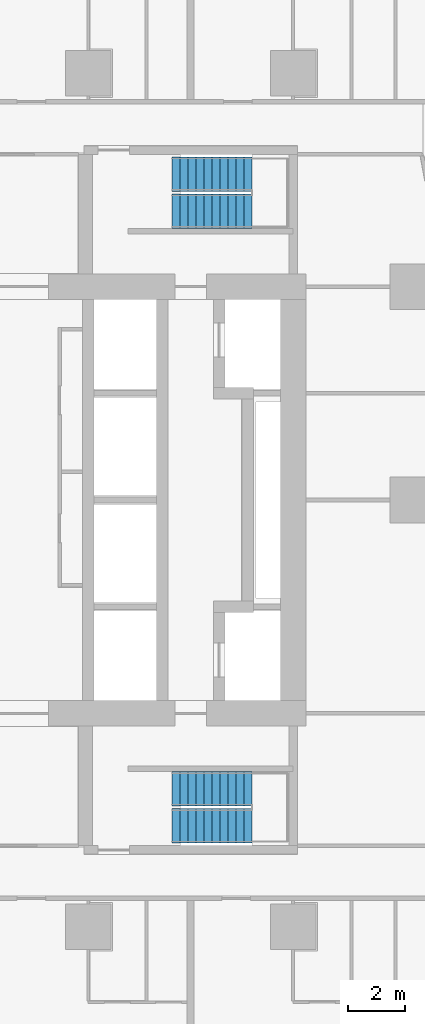
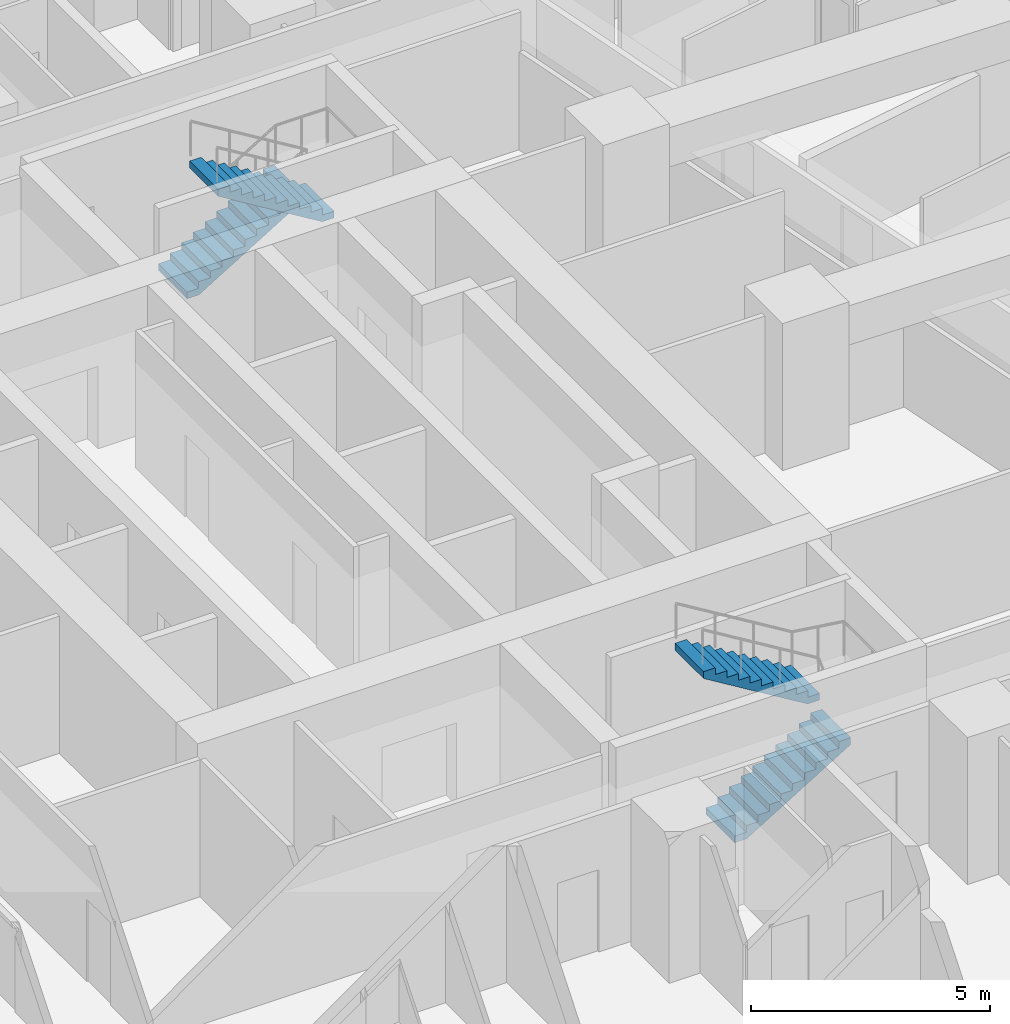
# One storey, part 13 of 16: 4 stair flights, 2 elements without a shape of their own.
"""IFC4 building model written with IfcOpenShell, lengths in metres."""

import ifcopenshell
import ifcopenshell.guid

model = None  # the IFC model being written
_history = None  # IfcOwnerHistory: only IFC2X3 demands one
_inside = {}  # id of a spatial element -> (the spatial element, [elements in it])
_under = {}  # id of a project, library or spatial element -> (it, [spatial elements below it])
_declared = {}  # id of a project -> (the project, [libraries it declares])
_typed = {}  # id of a type object -> (the type object, [elements of that type])
_made_of = {}  # id of a material, layer set ... -> (it, [elements and type objects made of it])


def new_model(schema):
    """Start an empty IFC model of exactly this schema.

    Asked for "IFC4X3", IfcOpenShell would pick the latest addendum, in which some entities
    have other attributes; the version numbers below select the first issue.
    IFC2X3 requires an IfcOwnerHistory on every rooted entity: one is made here for all.
    """
    global model, _history
    if schema == "IFC4X3":
        model = ifcopenshell.file(schema_version=(4, 3, 0, 0))
    else:
        model = ifcopenshell.file(schema=schema)
    _inside.clear()
    _under.clear()
    _declared.clear()
    _typed.clear()
    _made_of.clear()
    _history = None
    if model.schema == "IFC2X3":
        org = make("IfcOrganization", Name="unknown")
        user = make(
            "IfcPersonAndOrganization",
            ThePerson=make("IfcPerson", FamilyName="unknown"),
            TheOrganization=org,
        )
        app = make(
            "IfcApplication",
            ApplicationDeveloper=org,
            Version="unknown",
            ApplicationFullName="unknown",
            ApplicationIdentifier="unknown",
        )
        _history = make(
            "IfcOwnerHistory",
            OwningUser=user,
            OwningApplication=app,
            ChangeAction="ADDED",
            CreationDate=0,
        )
    return model


def make(cls, **values):
    """One entity of the class cls with the attributes given. An attribute that is None is left unset."""
    return model.create_entity(
        cls, **{name: value for name, value in values.items() if value is not None}
    )


def rooted(cls, **values):
    """An entity with a GlobalId (a new one), such as an element, a storey or a relation."""
    return make(cls, GlobalId=ifcopenshell.guid.new(), OwnerHistory=_history, **values)


def si_unit(unit_type, name, prefix=None):
    """IfcSIUnit, for example si_unit("LENGTHUNIT", "METRE", prefix="MILLI")."""
    return make("IfcSIUnit", UnitType=unit_type, Prefix=prefix, Name=name)


def assignment(units):
    """IfcUnitAssignment: the units of a project."""
    return None if units is None else make("IfcUnitAssignment", Units=units)


def point(xyz):
    """IfcCartesianPoint."""
    return None if xyz is None else make("IfcCartesianPoint", Coordinates=xyz)


def direction(xyz):
    """IfcDirection."""
    return None if xyz is None else make("IfcDirection", DirectionRatios=xyz)


def frame(location, z_axis=None, x_axis=None):
    """IfcAxis2Placement3D, a coordinate frame: its origin and axes. An axis left out is left unset."""
    return make(
        "IfcAxis2Placement3D",
        Location=point(location),
        Axis=direction(z_axis),
        RefDirection=direction(x_axis),
    )


def origin():
    """The frame at (0, 0, 0) with its axes left unset."""
    return frame((0.0, 0.0, 0.0))


def place(relative_to, where):
    """IfcLocalPlacement: puts the frame where relative to a parent placement (None: the world)."""
    return make(
        "IfcLocalPlacement", PlacementRelTo=relative_to, RelativePlacement=where
    )


def context(
    kind, dimensions, precision=None, world=None, true_north=None, identifier=None
):
    """IfcGeometricRepresentationContext, for example the 3D "Model" context."""
    return make(
        "IfcGeometricRepresentationContext",
        ContextIdentifier=identifier,
        ContextType=kind,
        CoordinateSpaceDimension=dimensions,
        Precision=precision,
        WorldCoordinateSystem=world,
        TrueNorth=true_north,
    )


def subcontext(parent, identifier, kind, view, scale=None):
    """IfcGeometricRepresentationSubContext, for example "Body" below "Model"."""
    return make(
        "IfcGeometricRepresentationSubContext",
        ContextIdentifier=identifier,
        ContextType=kind,
        ParentContext=parent,
        TargetScale=scale,
        TargetView=view,
    )


def project(units=None, contexts=None):
    """IfcProject with its units and contexts."""
    return rooted(
        "IfcProject",
        Name="project",
        RepresentationContexts=contexts,
        UnitsInContext=assignment(units),
    )


def spatial(cls, under=None, at=None, **own):
    """A site, building, storey or space (cls), placed at a placement, below another one or the project."""
    s = rooted(cls, ObjectPlacement=at, **own)
    if under is not None:
        _under.setdefault(under.id(), (under, []))[1].append(s)
    return s


def point_list(points):
    """IfcCartesianPointList2D or 3D."""
    cls = (
        "IfcCartesianPointList2D" if len(points[0]) == 2 else "IfcCartesianPointList3D"
    )
    return make(cls, CoordList=points)


def triangles(points, corners, closed=None, point_numbers=None):
    """IfcTriangulatedFaceSet: each triangle names its three corners, points numbered from 1."""
    return make(
        "IfcTriangulatedFaceSet",
        Coordinates=point_list(points),
        Closed=closed,
        CoordIndex=corners,
        PnIndex=point_numbers,
    )


def shape(context_of_items, identifier, shape_type, items):
    """IfcShapeRepresentation: the items that make up one representation, for example the "Body"."""
    return make(
        "IfcShapeRepresentation",
        ContextOfItems=context_of_items,
        RepresentationIdentifier=identifier,
        RepresentationType=shape_type,
        Items=items,
    )


def material(Name=None, Category=None):
    """IfcMaterial."""
    return make("IfcMaterial", Name=Name, Category=Category)


def made_of(thing, what):
    """Note that an element or type object is made of a material, layer set ...; save() writes the relation."""
    if what is not None:
        _made_of.setdefault(what.id(), (what, []))[1].append(thing)
    return thing


def type_object(cls, material=None, **own):
    """A type object (cls), such as IfcWallType, which elements share."""
    return made_of(rooted(cls, **own), material)


def element(
    cls,
    number,
    at=None,
    inside=None,
    cuts=None,
    type_object=None,
    material=None,
    context=None,
    identifier="Body",
    shape_type=None,
    held_by="IfcProductDefinitionShape",
    body=None,
    shapes=None,
    **own,
):
    """One element of the class cls, such as IfcWall. Its Tag is "e" and its number.

    at: its placement. inside: the storey or other place that contains it. cuts: it is an
    opening in that element (IfcRelVoidsElement). A single representation is given by context,
    identifier, shape_type and body (its items); several are given by shapes. held_by: the class
    of the entity that holds the representations. save() writes the other relations.
    """
    e = rooted(cls, Tag="e%d" % number, ObjectPlacement=at, **own)
    if body is not None:
        shapes = [shape(context, identifier, shape_type, body)]
    if shapes is not None:
        e.Representation = make(held_by, Representations=shapes)
    if inside is not None:
        _inside.setdefault(inside.id(), (inside, []))[1].append(e)
    if cuts is not None:
        rooted(
            "IfcRelVoidsElement", RelatingBuildingElement=cuts, RelatedOpeningElement=e
        )
    if type_object is not None:
        _typed.setdefault(type_object.id(), (type_object, []))[1].append(e)
    return made_of(e, material)


def aggregate(whole, parts):
    """IfcRelAggregates: a whole, such as a stair, and the parts it consists of."""
    return rooted("IfcRelAggregates", RelatingObject=whole, RelatedObjects=parts)


def save(model, path):
    """Write the relations noted so far, then the file.

    IfcRelAggregates (storeys below a building ...), IfcRelContainedInSpatialStructure (elements
    in a storey), IfcRelDefinesByType, IfcRelAssociatesMaterial and IfcRelDeclares: one each for
    every whole, place, type object, material and project.
    """
    for whole, parts in _under.values():
        aggregate(whole, parts)
    for where, things in _inside.values():
        rooted(
            "IfcRelContainedInSpatialStructure",
            RelatedElements=things,
            RelatingStructure=where,
        )
    for kind, things in _typed.values():
        rooted("IfcRelDefinesByType", RelatedObjects=things, RelatingType=kind)
    for what, things in _made_of.values():
        rooted("IfcRelAssociatesMaterial", RelatedObjects=things, RelatingMaterial=what)
    for by, libraries in _declared.values():
        rooted("IfcRelDeclares", RelatingContext=by, RelatedDefinitions=libraries)
    model.write(path)


model = new_model("IFC4")

# Units and contexts
model_context = context("Model", 3, precision=1e-05, world=origin(), true_north=direction((0.0, 1.0)))
body_context = subcontext(model_context, "Body", "Model", "MODEL_VIEW")
ifc_project = project(units=[si_unit("LENGTHUNIT", "METRE"), si_unit("AREAUNIT", "SQUARE_METRE"), si_unit("VOLUMEUNIT", "CUBIC_METRE"), si_unit("PLANEANGLEUNIT", "RADIAN"), si_unit("MASSUNIT", "GRAM", prefix="KILO")], contexts=[model_context])

# Site, building, storey
site_placement = place(None, origin())
site = spatial("IfcSite", under=ifc_project, at=site_placement, CompositionType="ELEMENT")
building_placement = place(site_placement, origin())
building = spatial("IfcBuilding", under=site, at=building_placement, Name="Sheger Commons Tower", CompositionType="ELEMENT")
storey_placement = place(building_placement, frame((0.0, 0.0, 89.14990234375)))
storey = spatial("IfcBuildingStorey", under=building, at=storey_placement, Name="L22", CompositionType="ELEMENT", Elevation=89.14990234375)

# Stair, stair flights
ifc_material_1 = material(Name="Concrete C35/45", Category="concrete")
stair_type = type_object("IfcStairType", Name="HALF-TURN STAIR 1200 RISE 3750", PredefinedType="HALF_TURN_STAIR", material=ifc_material_1)
stair_1_placement = place(storey_placement, origin())
stair_1 = element("IfcStair", 1, at=stair_1_placement, inside=storey, type_object=stair_type, Name="Stair S1 L22", PredefinedType="HALF_TURN_STAIR")
ifc_material_2 = material(Name="Concrete C35/45", Category="concrete")
stair_flight_type = type_object("IfcStairFlightType", Name="STAIR FLIGHT 1200 11 RISERS OF 170", PredefinedType="STRAIGHT", material=ifc_material_2)
stair_flight_1_placement = place(storey_placement, frame((24.550048828125, 11.050048828125, 0.0), z_axis=(0.0, 0.0, 1.0), x_axis=(1.0, 0.0, 0.0)))
stair_flight_1 = element("IfcStairFlight", 2, at=stair_flight_1_placement, type_object=stair_flight_type, Name="S1 flight 1", NumberOfRisers=11, NumberOfTreads=10, PredefinedType="STRAIGHT", RiserHeight=0.170454545, TreadLength=0.28, context=body_context, shape_type="Tessellation", body=[
    triangles([(0.0, 0.5999755859375, 0.0), (0.0, 0.5999755859375, 0.17041015625), (0.280029296875, 0.5999755859375, 0.17041015625), (0.280029296875, 0.5999755859375, 0.3408203125), (0.56005859375, 0.5999755859375, 0.3408203125), (0.56005859375, 0.5999755859375, 0.511474609375), (0.840087890625, 0.5999755859375, 0.511474609375), (0.840087890625, 0.5999755859375, 0.681884765625), (1.1201171875, 0.5999755859375, 0.681884765625), (1.1201171875, 0.5999755859375, 0.852294921875), (1.39990234375, 0.5999755859375, 0.852294921875), (1.39990234375, 0.5999755859375, 1.022705078125), (1.679931640625, 0.5999755859375, 1.022705078125), (1.679931640625, 0.5999755859375, 1.193115234375), (1.9599609375, 0.5999755859375, 1.193115234375), (1.9599609375, 0.5999755859375, 1.363525390625), (2.239990234375, 0.5999755859375, 1.363525390625), (2.239990234375, 0.5999755859375, 1.5341796875), (2.52001953125, 0.5999755859375, 1.5341796875), (2.52001953125, 0.5999755859375, 1.70458984375), (2.800048828125, 0.5999755859375, 1.70458984375), (2.800048828125, 0.5999755859375, 1.529052734375), (0.288330078125, 0.5999755859375, 0.0), (0.0, -0.5999755859375, 0.0), (0.0, -0.5999755859375, 0.17041015625), (0.280029296875, -0.5999755859375, 0.17041015625), (0.280029296875, -0.5999755859375, 0.3408203125), (0.56005859375, -0.5999755859375, 0.3408203125), (0.56005859375, -0.5999755859375, 0.511474609375), (0.840087890625, -0.5999755859375, 0.511474609375), (0.840087890625, -0.5999755859375, 0.681884765625), (1.1201171875, -0.5999755859375, 0.681884765625), (1.1201171875, -0.5999755859375, 0.852294921875), (1.39990234375, -0.5999755859375, 0.852294921875), (1.39990234375, -0.5999755859375, 1.022705078125), (1.679931640625, -0.5999755859375, 1.022705078125), (1.679931640625, -0.5999755859375, 1.193115234375), (1.9599609375, -0.5999755859375, 1.193115234375), (1.9599609375, -0.5999755859375, 1.363525390625), (2.239990234375, -0.5999755859375, 1.363525390625), (2.239990234375, -0.5999755859375, 1.5341796875), (2.52001953125, -0.5999755859375, 1.5341796875), (2.52001953125, -0.5999755859375, 1.70458984375), (2.800048828125, -0.5999755859375, 1.70458984375), (2.800048828125, -0.5999755859375, 1.529052734375), (0.288330078125, -0.5999755859375, 0.0), (0.0, 0.0, 0.085205078125), (0.1400146484375, 0.0, 0.17041015625), (0.280029296875, 0.0, 0.255615234375), (0.4200439453125, 0.0, 0.3408203125), (0.56005859375, 0.0, 0.4261474609375), (0.7000732421875, 0.0, 0.511474609375), (0.840087890625, 0.0, 0.5966796875), (0.9801025390625, 0.0, 0.681884765625), (1.1201171875, 0.0, 0.76708984375), (1.260009765625, 0.0, 0.852294921875), (1.39990234375, 0.0, 0.9375), (1.5399169921875, 0.0, 1.022705078125), (1.679931640625, 0.0, 1.10791015625), (1.8199462890625, 0.0, 1.193115234375), (1.9599609375, 0.0, 1.2783203125), (2.0999755859375, 0.0, 1.363525390625), (2.239990234375, 0.0, 1.4488525390625), (2.3800048828125, 0.0, 1.5341796875), (2.52001953125, 0.0, 1.619384765625), (2.6600341796875, 0.0, 1.70458984375), (2.800048828125, 0.0, 1.6168212890625), (1.544189453125, 0.0, 0.7645263671875), (0.1441650390625, 0.0, 0.0)], [[1, 22, 23], [24, 46, 45], [22, 20, 21], [45, 44, 43], [22, 19, 20], [45, 43, 42], [22, 18, 19], [45, 42, 41], [22, 17, 18], [45, 41, 40], [17, 15, 16], [40, 39, 38], [22, 15, 17], [45, 40, 38], [15, 13, 14], [38, 37, 36], [22, 13, 15], [45, 38, 36], [13, 11, 12], [36, 35, 34], [22, 11, 13], [45, 36, 34], [11, 9, 10], [34, 33, 32], [22, 9, 11], [45, 34, 32], [9, 7, 8], [32, 31, 30], [22, 7, 9], [45, 32, 30], [7, 5, 6], [30, 29, 28], [22, 5, 7], [45, 30, 28], [5, 3, 4], [28, 27, 26], [22, 3, 5], [45, 28, 26], [1, 3, 22], [24, 45, 26], [3, 1, 2], [26, 25, 24], [1, 47, 2], [2, 47, 25], [25, 47, 24], [24, 47, 1], [2, 48, 3], [3, 48, 26], [26, 48, 25], [25, 48, 2], [3, 49, 4], [4, 49, 27], [27, 49, 26], [26, 49, 3], [4, 50, 5], [5, 50, 28], [28, 50, 27], [27, 50, 4], [5, 51, 6], [6, 51, 29], [29, 51, 28], [28, 51, 5], [6, 52, 7], [7, 52, 30], [30, 52, 29], [29, 52, 6], [7, 53, 8], [8, 53, 31], [31, 53, 30], [30, 53, 7], [8, 54, 9], [9, 54, 32], [32, 54, 31], [31, 54, 8], [9, 55, 10], [10, 55, 33], [33, 55, 32], [32, 55, 9], [10, 56, 11], [11, 56, 34], [34, 56, 33], [33, 56, 10], [11, 57, 12], [12, 57, 35], [35, 57, 34], [34, 57, 11], [12, 58, 13], [13, 58, 36], [36, 58, 35], [35, 58, 12], [13, 59, 14], [14, 59, 37], [37, 59, 36], [36, 59, 13], [14, 60, 15], [15, 60, 38], [38, 60, 37], [37, 60, 14], [15, 61, 16], [16, 61, 39], [39, 61, 38], [38, 61, 15], [16, 62, 17], [17, 62, 40], [40, 62, 39], [39, 62, 16], [17, 63, 18], [18, 63, 41], [41, 63, 40], [40, 63, 17], [18, 64, 19], [19, 64, 42], [42, 64, 41], [41, 64, 18], [19, 65, 20], [20, 65, 43], [43, 65, 42], [42, 65, 19], [20, 66, 21], [21, 66, 44], [44, 66, 43], [43, 66, 20], [21, 67, 22], [22, 67, 45], [45, 67, 44], [44, 67, 21], [22, 68, 23], [23, 68, 46], [46, 68, 45], [45, 68, 22], [23, 69, 1], [1, 69, 24], [24, 69, 46], [46, 69, 23]], closed=True),
])
stair_flight_2_placement = place(storey_placement, frame((27.35009765625, 12.35009765625, 1.875), z_axis=(0.0, 0.0, 1.0), x_axis=(-1.0, 0.0, 0.0)))
stair_flight_2 = element("IfcStairFlight", 3, at=stair_flight_2_placement, type_object=stair_flight_type, Name="S1 flight 2", NumberOfRisers=11, NumberOfTreads=10, PredefinedType="STRAIGHT", RiserHeight=0.170454545, TreadLength=0.28, context=body_context, shape_type="Tessellation", body=[
    triangles([(0.0, 0.5999755859375, 0.0), (0.0, 0.5999755859375, 0.17041015625), (0.280029296875, 0.5999755859375, 0.17041015625), (0.280029296875, 0.5999755859375, 0.3408203125), (0.56005859375, 0.5999755859375, 0.3408203125), (0.56005859375, 0.5999755859375, 0.511474609375), (0.840087890625, 0.5999755859375, 0.511474609375), (0.840087890625, 0.5999755859375, 0.681884765625), (1.1201171875, 0.5999755859375, 0.681884765625), (1.1201171875, 0.5999755859375, 0.852294921875), (1.39990234375, 0.5999755859375, 0.852294921875), (1.39990234375, 0.5999755859375, 1.022705078125), (1.679931640625, 0.5999755859375, 1.022705078125), (1.679931640625, 0.5999755859375, 1.193115234375), (1.9599609375, 0.5999755859375, 1.193115234375), (1.9599609375, 0.5999755859375, 1.363525390625), (2.239990234375, 0.5999755859375, 1.363525390625), (2.239990234375, 0.5999755859375, 1.5341796875), (2.52001953125, 0.5999755859375, 1.5341796875), (2.52001953125, 0.5999755859375, 1.70458984375), (2.800048828125, 0.5999755859375, 1.70458984375), (2.800048828125, 0.5999755859375, 1.529052734375), (0.288330078125, 0.5999755859375, 0.0), (0.0, -0.5999755859375, 0.0), (0.0, -0.5999755859375, 0.17041015625), (0.280029296875, -0.5999755859375, 0.17041015625), (0.280029296875, -0.5999755859375, 0.3408203125), (0.56005859375, -0.5999755859375, 0.3408203125), (0.56005859375, -0.5999755859375, 0.511474609375), (0.840087890625, -0.5999755859375, 0.511474609375), (0.840087890625, -0.5999755859375, 0.681884765625), (1.1201171875, -0.5999755859375, 0.681884765625), (1.1201171875, -0.5999755859375, 0.852294921875), (1.39990234375, -0.5999755859375, 0.852294921875), (1.39990234375, -0.5999755859375, 1.022705078125), (1.679931640625, -0.5999755859375, 1.022705078125), (1.679931640625, -0.5999755859375, 1.193115234375), (1.9599609375, -0.5999755859375, 1.193115234375), (1.9599609375, -0.5999755859375, 1.363525390625), (2.239990234375, -0.5999755859375, 1.363525390625), (2.239990234375, -0.5999755859375, 1.5341796875), (2.52001953125, -0.5999755859375, 1.5341796875), (2.52001953125, -0.5999755859375, 1.70458984375), (2.800048828125, -0.5999755859375, 1.70458984375), (2.800048828125, -0.5999755859375, 1.529052734375), (0.288330078125, -0.5999755859375, 0.0), (0.0, 0.0, 0.085205078125), (0.1400146484375, 0.0, 0.17041015625), (0.280029296875, 0.0, 0.255615234375), (0.4200439453125, 0.0, 0.3408203125), (0.56005859375, 0.0, 0.4261474609375), (0.7000732421875, 0.0, 0.511474609375), (0.840087890625, 0.0, 0.5966796875), (0.9801025390625, 0.0, 0.681884765625), (1.1201171875, 0.0, 0.76708984375), (1.260009765625, 0.0, 0.852294921875), (1.39990234375, 0.0, 0.9375), (1.5399169921875, 0.0, 1.022705078125), (1.679931640625, 0.0, 1.10791015625), (1.8199462890625, 0.0, 1.193115234375), (1.9599609375, 0.0, 1.2783203125), (2.0999755859375, 0.0, 1.363525390625), (2.239990234375, 0.0, 1.4488525390625), (2.3800048828125, 0.0, 1.5341796875), (2.52001953125, 0.0, 1.619384765625), (2.6600341796875, 0.0, 1.70458984375), (2.800048828125, 0.0, 1.6168212890625), (1.544189453125, 0.0, 0.7645263671875), (0.1441650390625, 0.0, 0.0)], [[1, 22, 23], [24, 46, 45], [22, 20, 21], [45, 44, 43], [22, 19, 20], [45, 43, 42], [22, 18, 19], [45, 42, 41], [22, 17, 18], [45, 41, 40], [17, 15, 16], [40, 39, 38], [22, 15, 17], [45, 40, 38], [15, 13, 14], [38, 37, 36], [22, 13, 15], [45, 38, 36], [13, 11, 12], [36, 35, 34], [22, 11, 13], [45, 36, 34], [11, 9, 10], [34, 33, 32], [22, 9, 11], [45, 34, 32], [9, 7, 8], [32, 31, 30], [22, 7, 9], [45, 32, 30], [7, 5, 6], [30, 29, 28], [22, 5, 7], [45, 30, 28], [5, 3, 4], [28, 27, 26], [22, 3, 5], [45, 28, 26], [1, 3, 22], [24, 45, 26], [3, 1, 2], [26, 25, 24], [1, 47, 2], [2, 47, 25], [25, 47, 24], [24, 47, 1], [2, 48, 3], [3, 48, 26], [26, 48, 25], [25, 48, 2], [3, 49, 4], [4, 49, 27], [27, 49, 26], [26, 49, 3], [4, 50, 5], [5, 50, 28], [28, 50, 27], [27, 50, 4], [5, 51, 6], [6, 51, 29], [29, 51, 28], [28, 51, 5], [6, 52, 7], [7, 52, 30], [30, 52, 29], [29, 52, 6], [7, 53, 8], [8, 53, 31], [31, 53, 30], [30, 53, 7], [8, 54, 9], [9, 54, 32], [32, 54, 31], [31, 54, 8], [9, 55, 10], [10, 55, 33], [33, 55, 32], [32, 55, 9], [10, 56, 11], [11, 56, 34], [34, 56, 33], [33, 56, 10], [11, 57, 12], [12, 57, 35], [35, 57, 34], [34, 57, 11], [12, 58, 13], [13, 58, 36], [36, 58, 35], [35, 58, 12], [13, 59, 14], [14, 59, 37], [37, 59, 36], [36, 59, 13], [14, 60, 15], [15, 60, 38], [38, 60, 37], [37, 60, 14], [15, 61, 16], [16, 61, 39], [39, 61, 38], [38, 61, 15], [16, 62, 17], [17, 62, 40], [40, 62, 39], [39, 62, 16], [17, 63, 18], [18, 63, 41], [41, 63, 40], [40, 63, 17], [18, 64, 19], [19, 64, 42], [42, 64, 41], [41, 64, 18], [19, 65, 20], [20, 65, 43], [43, 65, 42], [42, 65, 19], [20, 66, 21], [21, 66, 44], [44, 66, 43], [43, 66, 20], [21, 67, 22], [22, 67, 45], [45, 67, 44], [44, 67, 21], [22, 68, 23], [23, 68, 46], [46, 68, 45], [45, 68, 22], [23, 69, 1], [1, 69, 24], [24, 69, 46], [46, 69, 23]], closed=True),
])
aggregate(stair_1, [stair_flight_1, stair_flight_2])

stair_2_placement = place(storey_placement, origin())
stair_2 = element("IfcStair", 4, at=stair_2_placement, inside=storey, type_object=stair_type, Name="Stair S2 L22", PredefinedType="HALF_TURN_STAIR")
stair_flight_3_placement = place(storey_placement, frame((24.550048828125, 33.949951171875, 0.0), z_axis=(0.0, 0.0, 1.0), x_axis=(1.0, 0.0, 0.0)))
stair_flight_3 = element("IfcStairFlight", 5, at=stair_flight_3_placement, type_object=stair_flight_type, Name="S2 flight 1", NumberOfRisers=11, NumberOfTreads=10, PredefinedType="STRAIGHT", RiserHeight=0.170454545, TreadLength=0.28, context=body_context, shape_type="Tessellation", body=[
    triangles([(0.0, 0.5999755859375, 0.0), (0.0, 0.5999755859375, 0.17041015625), (0.280029296875, 0.5999755859375, 0.17041015625), (0.280029296875, 0.5999755859375, 0.3408203125), (0.56005859375, 0.5999755859375, 0.3408203125), (0.56005859375, 0.5999755859375, 0.511474609375), (0.840087890625, 0.5999755859375, 0.511474609375), (0.840087890625, 0.5999755859375, 0.681884765625), (1.1201171875, 0.5999755859375, 0.681884765625), (1.1201171875, 0.5999755859375, 0.852294921875), (1.39990234375, 0.5999755859375, 0.852294921875), (1.39990234375, 0.5999755859375, 1.022705078125), (1.679931640625, 0.5999755859375, 1.022705078125), (1.679931640625, 0.5999755859375, 1.193115234375), (1.9599609375, 0.5999755859375, 1.193115234375), (1.9599609375, 0.5999755859375, 1.363525390625), (2.239990234375, 0.5999755859375, 1.363525390625), (2.239990234375, 0.5999755859375, 1.5341796875), (2.52001953125, 0.5999755859375, 1.5341796875), (2.52001953125, 0.5999755859375, 1.70458984375), (2.800048828125, 0.5999755859375, 1.70458984375), (2.800048828125, 0.5999755859375, 1.529052734375), (0.288330078125, 0.5999755859375, 0.0), (0.0, -0.5999755859375, 0.0), (0.0, -0.5999755859375, 0.17041015625), (0.280029296875, -0.5999755859375, 0.17041015625), (0.280029296875, -0.5999755859375, 0.3408203125), (0.56005859375, -0.5999755859375, 0.3408203125), (0.56005859375, -0.5999755859375, 0.511474609375), (0.840087890625, -0.5999755859375, 0.511474609375), (0.840087890625, -0.5999755859375, 0.681884765625), (1.1201171875, -0.5999755859375, 0.681884765625), (1.1201171875, -0.5999755859375, 0.852294921875), (1.39990234375, -0.5999755859375, 0.852294921875), (1.39990234375, -0.5999755859375, 1.022705078125), (1.679931640625, -0.5999755859375, 1.022705078125), (1.679931640625, -0.5999755859375, 1.193115234375), (1.9599609375, -0.5999755859375, 1.193115234375), (1.9599609375, -0.5999755859375, 1.363525390625), (2.239990234375, -0.5999755859375, 1.363525390625), (2.239990234375, -0.5999755859375, 1.5341796875), (2.52001953125, -0.5999755859375, 1.5341796875), (2.52001953125, -0.5999755859375, 1.70458984375), (2.800048828125, -0.5999755859375, 1.70458984375), (2.800048828125, -0.5999755859375, 1.529052734375), (0.288330078125, -0.5999755859375, 0.0), (0.0, 0.0, 0.085205078125), (0.1400146484375, 0.0, 0.17041015625), (0.280029296875, 0.0, 0.255615234375), (0.4200439453125, 0.0, 0.3408203125), (0.56005859375, 0.0, 0.4261474609375), (0.7000732421875, 0.0, 0.511474609375), (0.840087890625, 0.0, 0.5966796875), (0.9801025390625, 0.0, 0.681884765625), (1.1201171875, 0.0, 0.76708984375), (1.260009765625, 0.0, 0.852294921875), (1.39990234375, 0.0, 0.9375), (1.5399169921875, 0.0, 1.022705078125), (1.679931640625, 0.0, 1.10791015625), (1.8199462890625, 0.0, 1.193115234375), (1.9599609375, 0.0, 1.2783203125), (2.0999755859375, 0.0, 1.363525390625), (2.239990234375, 0.0, 1.4488525390625), (2.3800048828125, 0.0, 1.5341796875), (2.52001953125, 0.0, 1.619384765625), (2.6600341796875, 0.0, 1.70458984375), (2.800048828125, 0.0, 1.6168212890625), (1.544189453125, 0.0, 0.7645263671875), (0.1441650390625, 0.0, 0.0)], [[1, 22, 23], [24, 46, 45], [22, 20, 21], [45, 44, 43], [22, 19, 20], [45, 43, 42], [22, 18, 19], [45, 42, 41], [22, 17, 18], [45, 41, 40], [17, 15, 16], [40, 39, 38], [22, 15, 17], [45, 40, 38], [15, 13, 14], [38, 37, 36], [22, 13, 15], [45, 38, 36], [13, 11, 12], [36, 35, 34], [22, 11, 13], [45, 36, 34], [11, 9, 10], [34, 33, 32], [22, 9, 11], [45, 34, 32], [9, 7, 8], [32, 31, 30], [22, 7, 9], [45, 32, 30], [7, 5, 6], [30, 29, 28], [22, 5, 7], [45, 30, 28], [5, 3, 4], [28, 27, 26], [22, 3, 5], [45, 28, 26], [1, 3, 22], [24, 45, 26], [3, 1, 2], [26, 25, 24], [1, 47, 2], [2, 47, 25], [25, 47, 24], [24, 47, 1], [2, 48, 3], [3, 48, 26], [26, 48, 25], [25, 48, 2], [3, 49, 4], [4, 49, 27], [27, 49, 26], [26, 49, 3], [4, 50, 5], [5, 50, 28], [28, 50, 27], [27, 50, 4], [5, 51, 6], [6, 51, 29], [29, 51, 28], [28, 51, 5], [6, 52, 7], [7, 52, 30], [30, 52, 29], [29, 52, 6], [7, 53, 8], [8, 53, 31], [31, 53, 30], [30, 53, 7], [8, 54, 9], [9, 54, 32], [32, 54, 31], [31, 54, 8], [9, 55, 10], [10, 55, 33], [33, 55, 32], [32, 55, 9], [10, 56, 11], [11, 56, 34], [34, 56, 33], [33, 56, 10], [11, 57, 12], [12, 57, 35], [35, 57, 34], [34, 57, 11], [12, 58, 13], [13, 58, 36], [36, 58, 35], [35, 58, 12], [13, 59, 14], [14, 59, 37], [37, 59, 36], [36, 59, 13], [14, 60, 15], [15, 60, 38], [38, 60, 37], [37, 60, 14], [15, 61, 16], [16, 61, 39], [39, 61, 38], [38, 61, 15], [16, 62, 17], [17, 62, 40], [40, 62, 39], [39, 62, 16], [17, 63, 18], [18, 63, 41], [41, 63, 40], [40, 63, 17], [18, 64, 19], [19, 64, 42], [42, 64, 41], [41, 64, 18], [19, 65, 20], [20, 65, 43], [43, 65, 42], [42, 65, 19], [20, 66, 21], [21, 66, 44], [44, 66, 43], [43, 66, 20], [21, 67, 22], [22, 67, 45], [45, 67, 44], [44, 67, 21], [22, 68, 23], [23, 68, 46], [46, 68, 45], [45, 68, 22], [23, 69, 1], [1, 69, 24], [24, 69, 46], [46, 69, 23]], closed=True),
])
stair_flight_4_placement = place(storey_placement, frame((27.35009765625, 32.64990234375, 1.875), z_axis=(0.0, 0.0, 1.0), x_axis=(-1.0, 0.0, 0.0)))
stair_flight_4 = element("IfcStairFlight", 6, at=stair_flight_4_placement, type_object=stair_flight_type, Name="S2 flight 2", NumberOfRisers=11, NumberOfTreads=10, PredefinedType="STRAIGHT", RiserHeight=0.170454545, TreadLength=0.28, context=body_context, shape_type="Tessellation", body=[
    triangles([(0.0, 0.5999755859375, 0.0), (0.0, 0.5999755859375, 0.17041015625), (0.280029296875, 0.5999755859375, 0.17041015625), (0.280029296875, 0.5999755859375, 0.3408203125), (0.56005859375, 0.5999755859375, 0.3408203125), (0.56005859375, 0.5999755859375, 0.511474609375), (0.840087890625, 0.5999755859375, 0.511474609375), (0.840087890625, 0.5999755859375, 0.681884765625), (1.1201171875, 0.5999755859375, 0.681884765625), (1.1201171875, 0.5999755859375, 0.852294921875), (1.39990234375, 0.5999755859375, 0.852294921875), (1.39990234375, 0.5999755859375, 1.022705078125), (1.679931640625, 0.5999755859375, 1.022705078125), (1.679931640625, 0.5999755859375, 1.193115234375), (1.9599609375, 0.5999755859375, 1.193115234375), (1.9599609375, 0.5999755859375, 1.363525390625), (2.239990234375, 0.5999755859375, 1.363525390625), (2.239990234375, 0.5999755859375, 1.5341796875), (2.52001953125, 0.5999755859375, 1.5341796875), (2.52001953125, 0.5999755859375, 1.70458984375), (2.800048828125, 0.5999755859375, 1.70458984375), (2.800048828125, 0.5999755859375, 1.529052734375), (0.288330078125, 0.5999755859375, 0.0), (0.0, -0.5999755859375, 0.0), (0.0, -0.5999755859375, 0.17041015625), (0.280029296875, -0.5999755859375, 0.17041015625), (0.280029296875, -0.5999755859375, 0.3408203125), (0.56005859375, -0.5999755859375, 0.3408203125), (0.56005859375, -0.5999755859375, 0.511474609375), (0.840087890625, -0.5999755859375, 0.511474609375), (0.840087890625, -0.5999755859375, 0.681884765625), (1.1201171875, -0.5999755859375, 0.681884765625), (1.1201171875, -0.5999755859375, 0.852294921875), (1.39990234375, -0.5999755859375, 0.852294921875), (1.39990234375, -0.5999755859375, 1.022705078125), (1.679931640625, -0.5999755859375, 1.022705078125), (1.679931640625, -0.5999755859375, 1.193115234375), (1.9599609375, -0.5999755859375, 1.193115234375), (1.9599609375, -0.5999755859375, 1.363525390625), (2.239990234375, -0.5999755859375, 1.363525390625), (2.239990234375, -0.5999755859375, 1.5341796875), (2.52001953125, -0.5999755859375, 1.5341796875), (2.52001953125, -0.5999755859375, 1.70458984375), (2.800048828125, -0.5999755859375, 1.70458984375), (2.800048828125, -0.5999755859375, 1.529052734375), (0.288330078125, -0.5999755859375, 0.0), (0.0, 0.0, 0.085205078125), (0.1400146484375, 0.0, 0.17041015625), (0.280029296875, 0.0, 0.255615234375), (0.4200439453125, 0.0, 0.3408203125), (0.56005859375, 0.0, 0.4261474609375), (0.7000732421875, 0.0, 0.511474609375), (0.840087890625, 0.0, 0.5966796875), (0.9801025390625, 0.0, 0.681884765625), (1.1201171875, 0.0, 0.76708984375), (1.260009765625, 0.0, 0.852294921875), (1.39990234375, 0.0, 0.9375), (1.5399169921875, 0.0, 1.022705078125), (1.679931640625, 0.0, 1.10791015625), (1.8199462890625, 0.0, 1.193115234375), (1.9599609375, 0.0, 1.2783203125), (2.0999755859375, 0.0, 1.363525390625), (2.239990234375, 0.0, 1.4488525390625), (2.3800048828125, 0.0, 1.5341796875), (2.52001953125, 0.0, 1.619384765625), (2.6600341796875, 0.0, 1.70458984375), (2.800048828125, 0.0, 1.6168212890625), (1.544189453125, 0.0, 0.7645263671875), (0.1441650390625, 0.0, 0.0)], [[1, 22, 23], [24, 46, 45], [22, 20, 21], [45, 44, 43], [22, 19, 20], [45, 43, 42], [22, 18, 19], [45, 42, 41], [22, 17, 18], [45, 41, 40], [17, 15, 16], [40, 39, 38], [22, 15, 17], [45, 40, 38], [15, 13, 14], [38, 37, 36], [22, 13, 15], [45, 38, 36], [13, 11, 12], [36, 35, 34], [22, 11, 13], [45, 36, 34], [11, 9, 10], [34, 33, 32], [22, 9, 11], [45, 34, 32], [9, 7, 8], [32, 31, 30], [22, 7, 9], [45, 32, 30], [7, 5, 6], [30, 29, 28], [22, 5, 7], [45, 30, 28], [5, 3, 4], [28, 27, 26], [22, 3, 5], [45, 28, 26], [1, 3, 22], [24, 45, 26], [3, 1, 2], [26, 25, 24], [1, 47, 2], [2, 47, 25], [25, 47, 24], [24, 47, 1], [2, 48, 3], [3, 48, 26], [26, 48, 25], [25, 48, 2], [3, 49, 4], [4, 49, 27], [27, 49, 26], [26, 49, 3], [4, 50, 5], [5, 50, 28], [28, 50, 27], [27, 50, 4], [5, 51, 6], [6, 51, 29], [29, 51, 28], [28, 51, 5], [6, 52, 7], [7, 52, 30], [30, 52, 29], [29, 52, 6], [7, 53, 8], [8, 53, 31], [31, 53, 30], [30, 53, 7], [8, 54, 9], [9, 54, 32], [32, 54, 31], [31, 54, 8], [9, 55, 10], [10, 55, 33], [33, 55, 32], [32, 55, 9], [10, 56, 11], [11, 56, 34], [34, 56, 33], [33, 56, 10], [11, 57, 12], [12, 57, 35], [35, 57, 34], [34, 57, 11], [12, 58, 13], [13, 58, 36], [36, 58, 35], [35, 58, 12], [13, 59, 14], [14, 59, 37], [37, 59, 36], [36, 59, 13], [14, 60, 15], [15, 60, 38], [38, 60, 37], [37, 60, 14], [15, 61, 16], [16, 61, 39], [39, 61, 38], [38, 61, 15], [16, 62, 17], [17, 62, 40], [40, 62, 39], [39, 62, 16], [17, 63, 18], [18, 63, 41], [41, 63, 40], [40, 63, 17], [18, 64, 19], [19, 64, 42], [42, 64, 41], [41, 64, 18], [19, 65, 20], [20, 65, 43], [43, 65, 42], [42, 65, 19], [20, 66, 21], [21, 66, 44], [44, 66, 43], [43, 66, 20], [21, 67, 22], [22, 67, 45], [45, 67, 44], [44, 67, 21], [22, 68, 23], [23, 68, 46], [46, 68, 45], [45, 68, 22], [23, 69, 1], [1, 69, 24], [24, 69, 46], [46, 69, 23]], closed=True),
])
aggregate(stair_2, [stair_flight_3, stair_flight_4])

save(model, "model.ifc")
